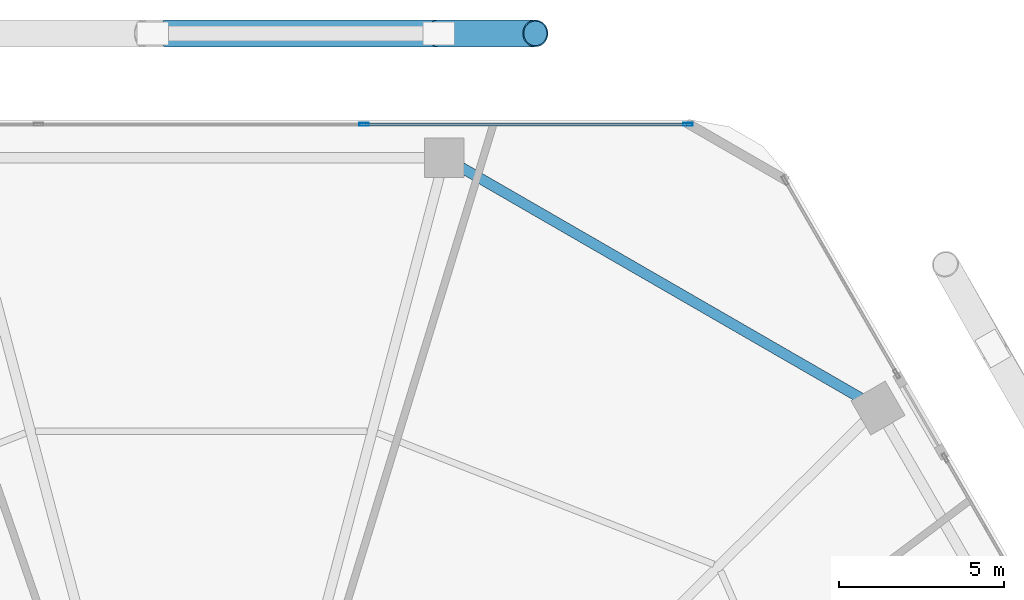
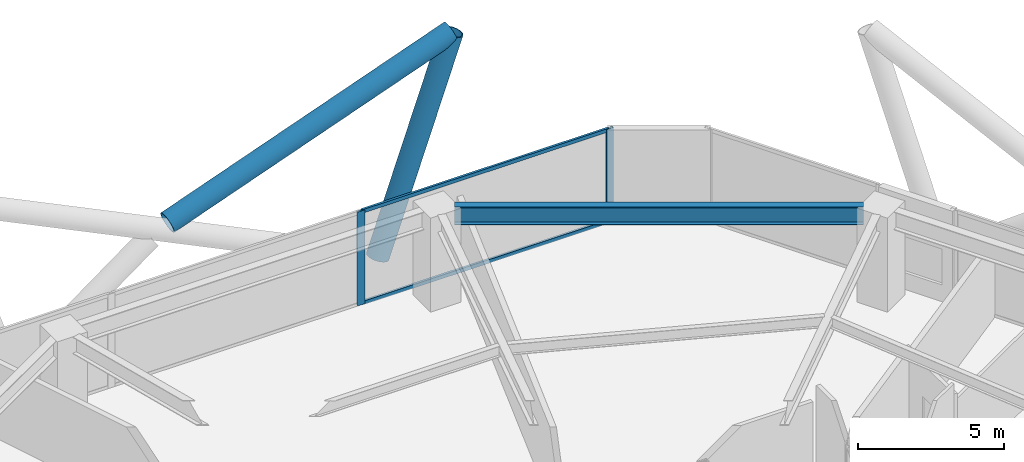
# One storey, part 21 of 28: 6 members, 1 beam, 1 element without a shape of its own.
"""IFC4 building model written with IfcOpenShell, lengths in metres."""

from ifc_helpers import new_model, si_unit, direction, frame, origin, origin_2d, place, context, subcontext, project, spatial, hollow_rectangle, hollow_circle, i_section, extrude, material, material_profile, profile_set, type_object, element, aggregate, save


model = new_model("IFC4")

# Units and contexts
model_context = context("Model", 3, precision=1e-05, world=origin(), true_north=direction((0.0, 1.0)))
body_context = subcontext(model_context, "Body", "Model", "MODEL_VIEW")
ifc_project = project(units=[si_unit("LENGTHUNIT", "METRE"), si_unit("AREAUNIT", "SQUARE_METRE"), si_unit("VOLUMEUNIT", "CUBIC_METRE"), si_unit("PLANEANGLEUNIT", "RADIAN"), si_unit("MASSUNIT", "GRAM", prefix="KILO")], contexts=[model_context])

# Site, building, storey
site_placement = place(None, origin())
site = spatial("IfcSite", under=ifc_project, at=site_placement, CompositionType="ELEMENT")
building_placement = place(site_placement, origin())
building = spatial("IfcBuilding", under=site, at=building_placement, Name="Zuhravey Tower", CompositionType="ELEMENT")
storey_placement = place(building_placement, frame((0.0, 0.0, 49.800048828125)))
storey = spatial("IfcBuildingStorey", under=building, at=storey_placement, Name="L12", CompositionType="ELEMENT", Elevation=49.800048828125)

# Curtain wall, members
ifc_material_1 = material(Name="Thermally broken anodised aluminium", Category="aluminium")
curtain_wall_type = type_object("IfcCurtainWallType", Name="School Low-E Unitised Curtain Wall CW1", PredefinedType="NOTDEFINED", material=ifc_material_1)
curtain_wall_placement = place(storey_placement, origin())
curtain_wall = element("IfcCurtainWall", 1, at=curtain_wall_placement, inside=storey, type_object=curtain_wall_type, Name="L12 CW1 CW-L12-F2-1", PredefinedType="NOTDEFINED")
ifc_material_2 = material(Name="Anodised aluminium", Category="aluminium")
ifc_material_profile_1 = material_profile(ifc_material_2, hollow_rectangle(XDim=0.090087890625, YDim=0.284912109375, WallThickness=0.0048828125, at=origin_2d()), Name="ALU-RHS-90x285x5")
ifc_profile_set_1 = profile_set([ifc_material_profile_1], Name="Anodised aluminium")
member_type_1 = type_object("IfcMemberType", Name="Curtain-Wall Mullion 90x180", PredefinedType="MULLION", material=ifc_profile_set_1)
member_1_placement = place(storey_placement, frame((40.93310546875, 60.95849609375, 0.0), z_axis=(0.0, 0.0, 1.0), x_axis=(0.0, 1.0, 0.0)))
member_1 = element("IfcMember", 2, at=member_1_placement, type_object=member_type_1, Name="CW1 mullion 3", PredefinedType="MULLION", context=body_context, shape_type="SweptSolid", body=[
    extrude(hollow_rectangle(XDim=0.090087890625, YDim=0.284912109375, WallThickness=0.0048828125, at=origin_2d()), origin(), (0.0, 0.0, 1.0), 3.919921875),
])
member_2_placement = place(storey_placement, frame((50.75439453125, 60.95849609375, 0.0), z_axis=(0.0, 0.0, 1.0), x_axis=(0.0, 1.0, 0.0)))
member_2 = element("IfcMember", 3, at=member_2_placement, type_object=member_type_1, Name="CW1 mullion 4", PredefinedType="MULLION", context=body_context, shape_type="SweptSolid", body=[
    extrude(hollow_rectangle(XDim=0.090087890625, YDim=0.284912109375, WallThickness=0.0048828125, at=origin_2d()), origin(), (0.0, 0.0, 1.0), 3.919921875),
])
ifc_material_profile_2 = material_profile(ifc_material_2, hollow_rectangle(XDim=0.090087890625, YDim=0.14990234375, WallThickness=0.0048828125, at=origin_2d()), Name="ALU-RHS-90x150x5")
ifc_profile_set_2 = profile_set([ifc_material_profile_2], Name="Anodised aluminium")
member_type_2 = type_object("IfcMemberType", Name="Curtain-Wall Transom 90x150", PredefinedType="USERDEFINED", material=ifc_profile_set_2)
member_3_placement = place(storey_placement, frame((40.978271484375, 60.95849609375, 0.044921875), z_axis=(1.0, 0.0, 0.0), x_axis=(0.0, 1.0, 0.0)))
member_3 = element("IfcMember", 4, at=member_3_placement, type_object=member_type_2, Name="CW1 transom 3.1", ObjectType="TRANSOM", PredefinedType="USERDEFINED", context=body_context, shape_type="SweptSolid", body=[
    extrude(hollow_rectangle(XDim=0.090087890625, YDim=0.14990234375, WallThickness=0.0048828125, at=origin_2d()), origin(), (0.0, 0.0, 1.0), 9.731201171875),
])
member_4_placement = place(storey_placement, frame((40.978271484375, 60.95849609375, 3.875), z_axis=(1.0, 0.0, 0.0), x_axis=(0.0, 1.0, 0.0)))
member_4 = element("IfcMember", 5, at=member_4_placement, type_object=member_type_2, Name="CW1 transom 3.2", ObjectType="TRANSOM", PredefinedType="USERDEFINED", context=body_context, shape_type="SweptSolid", body=[
    extrude(hollow_rectangle(XDim=0.090087890625, YDim=0.14990234375, WallThickness=0.0048828125, at=origin_2d()), origin(), (0.0, 0.0, 1.0), 9.731201171875),
])
aggregate(curtain_wall, [member_1, member_2, member_3, member_4])

# Members
ifc_material_3 = material(Name="Steel SM460", Category="steel")
ifc_material_profile_3 = material_profile(ifc_material_3, hollow_circle(Radius=0.406494140625, WallThickness=0.035888671875, at=origin_2d()), Name="CHS-812.8x36")
ifc_profile_set_3 = profile_set([ifc_material_profile_3], Name="Steel SM460")
member_type_3 = type_object("IfcMemberType", Name="Exoskeleton Zone 1 Diagrid CHS813x36", PredefinedType="BRACE", material=ifc_profile_set_3)
member_5_placement = place(storey_placement, frame((43.20166015625, 63.718505859375, -0.47216796875), z_axis=(0.330634128471, 0.0, 0.94375901219), x_axis=(0.0, 1.0, 0.0)))
element("IfcMember", 6, at=member_5_placement, inside=storey, type_object=member_type_3, Name="L12 Face 2 Diagrid Brace 1", PredefinedType="BRACE", context=body_context, shape_type="SweptSolid", body=[
    extrude(hollow_circle(Radius=0.406494140625, WallThickness=0.035888671875, at=origin_2d()), origin(), (0.0, 0.0, 1.0), 8.854248046875),
])
member_6_placement = place(storey_placement, frame((34.9013671875, 63.718505859375, 3.8408203125), z_axis=(0.940345778903, 0.0, 0.340220246458), x_axis=(0.0, 1.0, 0.0)))
element("IfcMember", 7, at=member_6_placement, inside=storey, type_object=member_type_3, Name="L12 Face 2 Split Diagrid Brace 3B", PredefinedType="BRACE", context=body_context, shape_type="SweptSolid", body=[
    extrude(hollow_circle(Radius=0.406494140625, WallThickness=0.035888671875, at=origin_2d()), origin(), (0.0, 0.0, 1.0), 11.897705078125),
])

# Beam
ifc_material_4 = material(Name="Steel SM355", Category="steel")
ifc_material_profile_4 = material_profile(ifc_material_4, i_section(OverallWidth=0.320068359375, OverallDepth=0.75, WebThickness=0.013916015625, FlangeThickness=0.02490234375, at=origin_2d()), Name="H-750x320x14x25")
ifc_profile_set_4 = profile_set([ifc_material_profile_4], Name="Steel SM355")
beam_type = type_object("IfcBeamType", Name="Perimeter Ring Beam H750x320", PredefinedType="BEAM", material=ifc_profile_set_4)
beam_placement = place(storey_placement, frame((55.996826171875, 52.658447265625, 3.544921875), z_axis=(-0.866029969761, 0.499992091414, 0.0), x_axis=(-0.499992091414, -0.866029969761, 0.0)))
element("IfcBeam", 8, at=beam_placement, inside=storey, type_object=beam_type, Name="L12 PB1 BM-L12-PB-02", PredefinedType="BEAM", context=body_context, shape_type="SweptSolid", body=[
    extrude(i_section(OverallWidth=0.320068359375, OverallDepth=0.75, WebThickness=0.013916015625, FlangeThickness=0.02490234375, at=origin_2d()), origin(), (0.0, 0.0, 1.0), 13.977294921875),
])

save(model, "model.ifc")
